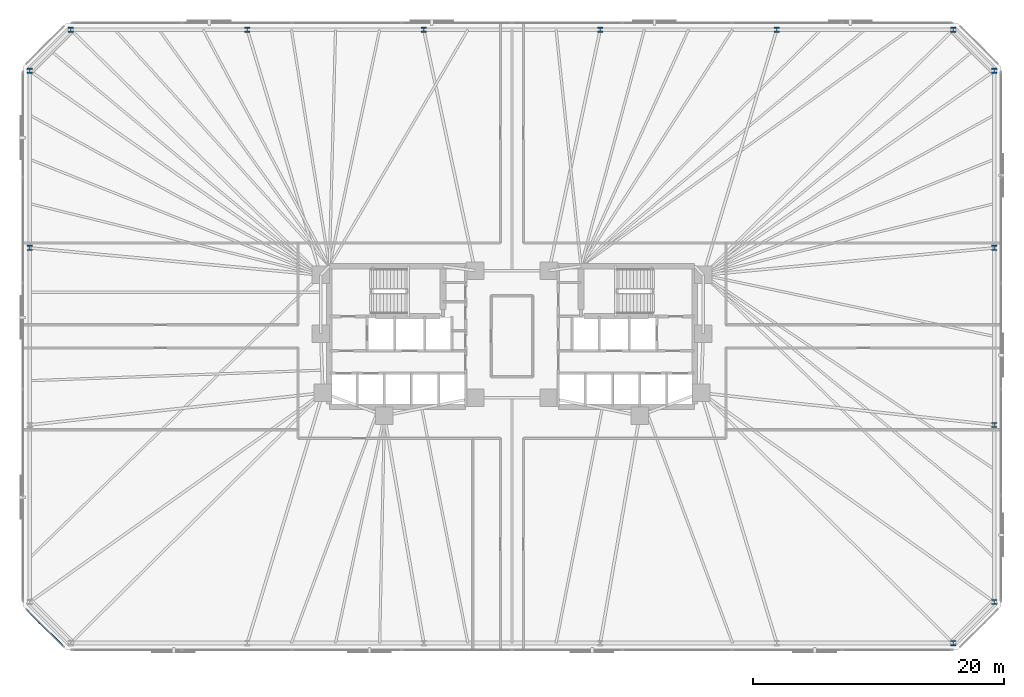
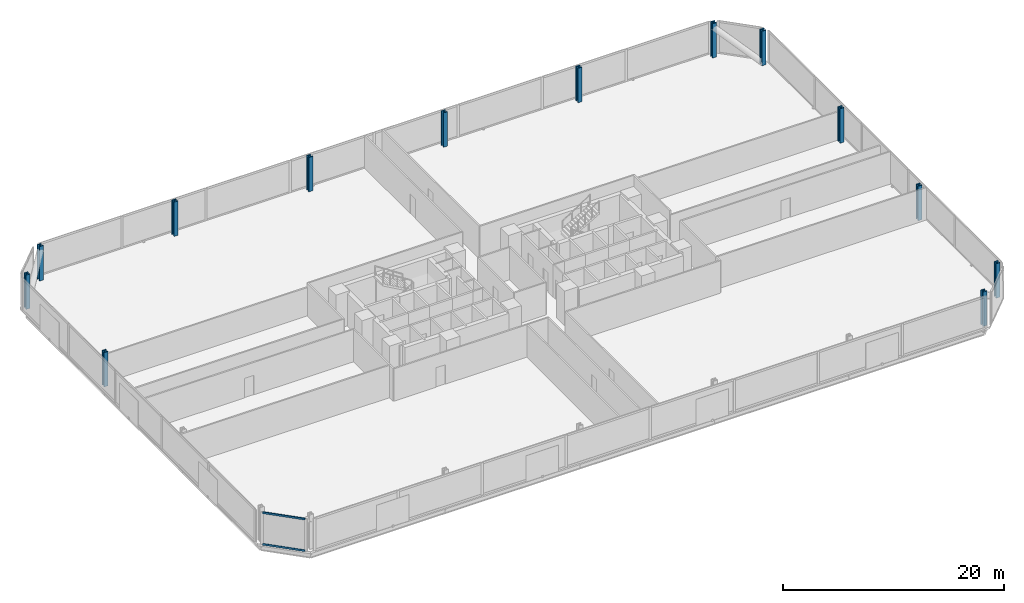
# One storey, part 5 of 16: 13 columns, 2 members, 1 element without a shape of its own.
"""IFC4 building model written with IfcOpenShell, lengths in metres."""

from ifc_helpers import new_model, si_unit, direction, frame, origin, origin_2d, place, context, subcontext, project, spatial, rectangle, i_section, extrude, material, material_profile, profile_set, type_object, element, aggregate, save


model = new_model("IFC4")

# Units and contexts
model_context = context("Model", 3, precision=1e-05, world=origin(), true_north=direction((0.0, 1.0)))
body_context = subcontext(model_context, "Body", "Model", "MODEL_VIEW")
ifc_project = project(units=[si_unit("LENGTHUNIT", "METRE"), si_unit("AREAUNIT", "SQUARE_METRE"), si_unit("VOLUMEUNIT", "CUBIC_METRE"), si_unit("PLANEANGLEUNIT", "RADIAN"), si_unit("MASSUNIT", "GRAM", prefix="KILO")], contexts=[model_context])

# Site, building, storey
site_placement = place(None, origin())
site = spatial("IfcSite", under=ifc_project, at=site_placement, CompositionType="ELEMENT")
building_placement = place(site_placement, origin())
building = spatial("IfcBuilding", under=site, at=building_placement, Name="Menara Jurai Vektor", CompositionType="ELEMENT")
storey_placement = place(building_placement, frame((0.0, 0.0, 67.39990234375)))
storey = spatial("IfcBuildingStorey", under=building, at=storey_placement, Name="L16", CompositionType="ELEMENT", Elevation=67.39990234375)

# Columns
ifc_material_1 = material(Name="Steel S460", Category="steel")
ifc_material_profile_1 = material_profile(ifc_material_1, i_section(OverallWidth=0.419921875, OverallDepth=0.430908203125, WebThickness=0.06494140625, FlangeThickness=0.10595703125, FilletRadius=0.014892578125, at=origin_2d()), Name="HD 400x900")
ifc_profile_set_1 = profile_set([ifc_material_profile_1], Name="Steel S460")
column_type = type_object("IfcColumnType", Name="STR-EXO-BLK1", PredefinedType="COLUMN", material=ifc_profile_set_1)
for number, where, z_axis, x_axis, name in (
    (1, (35.177734375, -24.449951171875, 0.0), (0.0, 0.0, 1.0), (1.0, 0.0, 0.0), "Exoskeleton Column BLK1-S6 L16"),
    (2, (38.449951171875, -21.177734375, 0.0), (0.0, 0.0, 1.0), (1.0, 0.0, 0.0), "Exoskeleton Column BLK1-E1 L16"),
    (3, (38.449951171875, -7.059326171875, 0.0), (0.0, 0.0, 1.0), (1.0, 0.0, 0.0), "Exoskeleton Column BLK1-E2 L16"),
    (4, (38.449951171875, 7.059326171875, 0.0), (0.0, 0.0, 1.0), (1.0, 0.0, 0.0), "Exoskeleton Column BLK1-E3 L16"),
    (5, (38.449951171875, 21.177734375, 0.0), (0.0, 0.0, 1.0), (1.0, 0.0, 0.0), "Exoskeleton Column BLK1-E4 L16"),
    (6, (35.177734375, 24.449951171875, 0.0), (0.0, 0.0, 1.0), (1.0, 0.0, 0.0), "Exoskeleton Column BLK1-N1 L16"),
    (7, (21.106689453125, 24.449951171875, 0.0), (0.0, 0.0, 1.0), (1.0, 0.0, 0.0), "Exoskeleton Column BLK1-N2 L16"),
    (8, (7.03564453125, 24.449951171875, 0.0), (0.0, 0.0, 1.0), (1.0, 0.0, 0.0), "Exoskeleton Column BLK1-N3 L16"),
    (9, (-7.03564453125, 24.449951171875, 0.0), (0.0, 0.0, 1.0), (1.0, 0.0, 0.0), "Exoskeleton Column BLK1-N4 L16"),
    (10, (-21.106689453125, 24.449951171875, 0.0), (0.0, 0.0, 1.0), (1.0, 0.0, 0.0), "Exoskeleton Column BLK1-N5 L16"),
    (11, (-35.177734375, 24.449951171875, 0.0), (0.0, 0.0, 1.0), (1.0, 0.0, 0.0), "Exoskeleton Column BLK1-N6 L16"),
    (12, (-38.449951171875, 21.177734375, 0.0), (0.0, 0.0, 1.0), (1.0, 0.0, 0.0), "Exoskeleton Column BLK1-W1 L16"),
    (13, (-38.449951171875, 7.059326171875, 0.0), (0.0, 0.0, 1.0), (1.0, 0.0, 0.0), "Exoskeleton Column BLK1-W2 L16"),
):
    element("IfcColumn", number, at=place(storey_placement, frame(where, z_axis=z_axis, x_axis=x_axis)), inside=storey, type_object=column_type, Name=name, PredefinedType="COLUMN", context=body_context, shape_type="SweptSolid", body=[
        extrude(i_section(OverallWidth=0.419921875, OverallDepth=0.430908203125, WebThickness=0.06494140625, FlangeThickness=0.10595703125, FilletRadius=0.014892578125, at=origin_2d()), origin(), (0.0, 0.0, 1.0), 3.800048828125),
    ])

# Curtain wall, members
ifc_material_2 = material(Name="Anodised Pale Aluminium & Low-E Double Glazing", Category="aluminium")
curtain_wall_type = type_object("IfcCurtainWallType", Name="CW-BLK1", PredefinedType="NOTDEFINED", material=ifc_material_2)
curtain_wall_placement = place(storey_placement, origin())
curtain_wall = element("IfcCurtainWall", 14, at=curtain_wall_placement, inside=storey, type_object=curtain_wall_type, Name="Unitised Curtain Wall L16 F08", PredefinedType="NOTDEFINED")
ifc_material_3 = material(Name="Anodised Pale Aluminium Transom", Category="aluminium")
ifc_material_profile_2 = material_profile(ifc_material_3, rectangle(XDim=0.094970703125, YDim=0.199951171875, at=origin_2d()), Name="ALU TRN 95x200")
ifc_profile_set_2 = profile_set([ifc_material_profile_2], Name="Anodised Pale Aluminium Transom")
member_type = type_object("IfcMemberType", Name="CW-BLK1-TRN", PredefinedType="USERDEFINED", material=ifc_profile_set_2)
member_1_placement = place(storey_placement, frame((-38.6640625, -21.8359375, 0.047607421875), z_axis=(0.707106781187, -0.707106781187, 0.0), x_axis=(0.707106781187, 0.707106781187, 0.0)))
member_1 = element("IfcMember", 15, at=member_1_placement, type_object=member_type, Name="CW-01 transom 1.1", ObjectType="TRANSOM", PredefinedType="USERDEFINED", context=body_context, shape_type="SweptSolid", body=[
    extrude(rectangle(XDim=0.094970703125, YDim=0.199951171875, at=origin_2d()), origin(), (0.0, 0.0, 1.0), 3.99951171875),
])
member_2_placement = place(storey_placement, frame((-38.6640625, -21.8359375, 3.527587890625), z_axis=(0.707106781187, -0.707106781187, 0.0), x_axis=(0.707106781187, 0.707106781187, 0.0)))
member_2 = element("IfcMember", 16, at=member_2_placement, type_object=member_type, Name="CW-01 transom 1.2", ObjectType="TRANSOM", PredefinedType="USERDEFINED", context=body_context, shape_type="SweptSolid", body=[
    extrude(rectangle(XDim=0.094970703125, YDim=0.199951171875, at=origin_2d()), origin(), (0.0, 0.0, 1.0), 3.99951171875),
])
aggregate(curtain_wall, [member_1, member_2])

save(model, "model.ifc")
